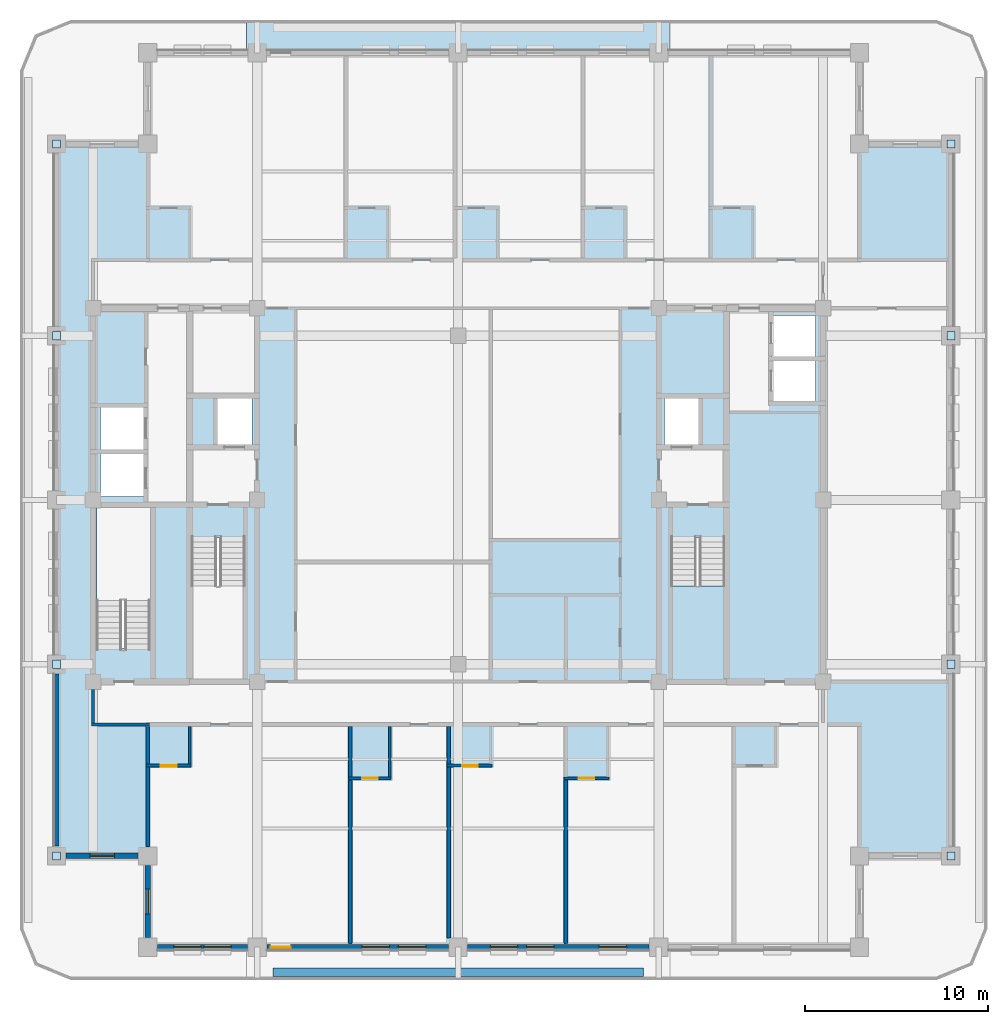
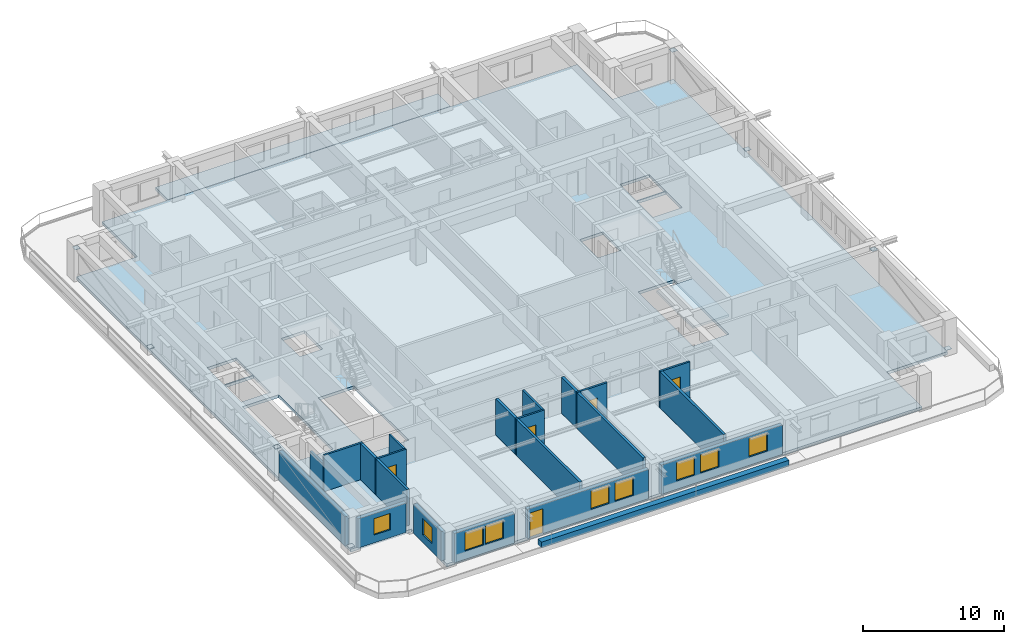
# One storey, part 2 of 13: 22 walls, 9 windows, 8 plates, 5 doors, 3 slabs, 14 openings, 1 element without a shape of its own.
"""IFC4 building model written with IfcOpenShell, lengths in metres."""

from ifc_helpers import new_model, si_unit, direction, frame, frame_2d, origin, origin_2d, place, context, subcontext, project, spatial, polyline, rectangle, outline, extrude, material, layer, layer_set, type_object, element, fill, aggregate, save


model = new_model("IFC4")

# Units and contexts
model_context = context("Model", 3, precision=1e-05, world=origin(), true_north=direction((0.0, 1.0)))
body_context = subcontext(model_context, "Body", "Model", "MODEL_VIEW")
ifc_project = project(units=[si_unit("LENGTHUNIT", "METRE"), si_unit("AREAUNIT", "SQUARE_METRE"), si_unit("VOLUMEUNIT", "CUBIC_METRE"), si_unit("PLANEANGLEUNIT", "RADIAN"), si_unit("MASSUNIT", "GRAM", prefix="KILO")], contexts=[model_context])

# Site, building, storey
site_placement = place(None, origin())
site = spatial("IfcSite", under=ifc_project, at=site_placement, CompositionType="ELEMENT")
building_placement = place(site_placement, origin())
building = spatial("IfcBuilding", under=site, at=building_placement, Name="Zulmaris Gate Convention Tower", CompositionType="ELEMENT")
storey_placement = place(building_placement, frame((0.0, 0.0, 166.059814453125)))
storey = spatial("IfcBuildingStorey", under=building, at=storey_placement, Name="L42", CompositionType="ELEMENT", Elevation=166.059814453125)

# Plates
ifc_material_1 = material(Name="Steel S460", Category="steel")
ifc_layer_1 = layer(ifc_material_1, 0.02490234375, Name="Steel S460")
ifc_layer_set_1 = layer_set([ifc_layer_1], Name="Steel S460")
plate_type = type_object("IfcPlateType", Name="NP-CAP-440", PredefinedType="USERDEFINED", material=ifc_layer_set_1)
for number, where, z_axis, x_axis, name in (
    (1, (-22.0, -19.5, 0.28759765625), (0.0, 0.0, 1.0), (1.0, 0.0, 0.0), "L42 Steel Node Plate PBR-L42-SW-W-CAP"),
    (2, (-22.0, -9.0, 2.517822265625), (0.0, 0.0, 1.0), (1.0, 0.0, 0.0), "L42 Steel Node Plate PBR-L42-SW-W-CAPB"),
    (3, (-22.0, 9.0, 0.28759765625), (0.0, 0.0, 1.0), (1.0, 0.0, 0.0), "L42 Steel Node Plate PBR-L42-NW-W-CAP"),
    (4, (-22.0, 19.5, 2.517822265625), (0.0, 0.0, 1.0), (1.0, 0.0, 0.0), "L42 Steel Node Plate PBR-L42-NW-W-CAPB"),
    (5, (27.0, -19.5, 0.28759765625), (0.0, 0.0, 1.0), (1.0, 0.0, 0.0), "L42 Steel Node Plate PBR-L42-SE-E-CAP"),
    (6, (27.0, -9.0, 2.517822265625), (0.0, 0.0, 1.0), (1.0, 0.0, 0.0), "L42 Steel Node Plate PBR-L42-SE-E-CAPB"),
    (7, (27.0, 9.0, 0.28759765625), (0.0, 0.0, 1.0), (1.0, 0.0, 0.0), "L42 Steel Node Plate PBR-L42-NE-E-CAP"),
    (8, (27.0, 19.5, 2.517822265625), (0.0, 0.0, 1.0), (1.0, 0.0, 0.0), "L42 Steel Node Plate PBR-L42-NE-E-CAPB"),
):
    element("IfcPlate", number, at=place(storey_placement, frame(where, z_axis=z_axis, x_axis=x_axis)), inside=storey, type_object=plate_type, Name=name, ObjectType="FLANGE PLATE", PredefinedType="USERDEFINED", context=body_context, shape_type="SweptSolid", body=[
        extrude(rectangle(XDim=0.43994140625, YDim=0.43994140625, at=origin_2d()), origin(), (0.0, 0.0, 1.0), 0.02490234375),
    ])

# Slabs
ifc_material_2 = material(Name="Precast concrete C50/60", Category="concrete")
ifc_layer_2 = layer(ifc_material_2, 0.260009765625, Name="Precast concrete C50/60")
ifc_layer_set_2 = layer_set([ifc_layer_2], Name="Precast concrete C50/60")
slab_type_1 = type_object("IfcSlabType", Name="SL-BAL-260", PredefinedType="FLOOR", material=ifc_layer_set_2)
slab_1_placement = place(storey_placement, frame((0.0, 0.0, -0.25)))
element("IfcSlab", 9, at=slab_1_placement, inside=storey, type_object=slab_type_1, Name="L42 North Tree-Balcony Planter Slab", PredefinedType="FLOOR", context=body_context, shape_type="SweptSolid", body=[
    extrude(outline(polyline([(11.597900390625, 26.300048828125), (11.597900390625, 24.5), (-11.597900390625, 24.5), (-11.597900390625, 26.300048828125), (11.597900390625, 26.300048828125)])), origin(), (0.0, 0.0, 1.0), 0.260009765625),
])
ifc_material_3 = material(Name="Concrete C50/60", Category="concrete")
ifc_layer_3 = layer(ifc_material_3, 0.25, Name="Concrete C50/60")
ifc_layer_set_3 = layer_set([ifc_layer_3], Name="Concrete C50/60")
slab_type_2 = type_object("IfcSlabType", Name="SL-FLR-250", PredefinedType="FLOOR", material=ifc_layer_set_3)
slab_2_placement = place(storey_placement, frame((0.0, 0.0, -0.25)))
element("IfcSlab", 10, at=slab_2_placement, inside=storey, type_object=slab_type_2, Name="L42 Shifted Notched-Square Structural Floor Slab", PredefinedType="FLOOR", context=body_context, shape_type="SweptSolid", body=[
    extrude(outline(polyline([(-17.0, -24.5), (22.0, -24.5), (22.0, -19.5), (27.0, -19.5), (27.0, 19.5), (22.0, 19.5), (22.0, 24.5), (-17.0, 24.5), (-17.0, 19.5), (-22.0, 19.5), (-22.0, -19.5), (-17.0, -19.5), (-17.0, -24.5)]), holes=[polyline([(-14.6201171875, -2.080078125), (-14.6201171875, -9.85009765625), (-11.659912109375, -9.85009765625), (-11.659912109375, -2.080078125), (-14.6201171875, -2.080078125)]), polyline([(11.659912109375, -2.080078125), (11.659912109375, -9.85009765625), (14.6201171875, -9.85009765625), (14.6201171875, -2.080078125), (11.659912109375, -2.080078125)]), polyline([(-16.860107421875, -8.1201171875), (-16.860107421875, -0.35009765625), (-19.820068359375, -0.35009765625), (-19.820068359375, -8.1201171875), (-16.860107421875, -8.1201171875)]), polyline([(-13.199951171875, 3.0), (-11.300048828125, 3.0), (-11.300048828125, 5.60009765625), (-13.199951171875, 5.60009765625), (-13.199951171875, 3.0)]), polyline([(11.300048828125, 3.0), (13.199951171875, 3.0), (13.199951171875, 5.60009765625), (11.300048828125, 5.60009765625), (11.300048828125, 3.0)]), polyline([(17.199951171875, 5.39990234375), (19.60009765625, 5.39990234375), (19.60009765625, 7.699951171875), (17.199951171875, 7.699951171875), (17.199951171875, 5.39990234375)]), polyline([(17.199951171875, 7.800048828125), (19.60009765625, 7.800048828125), (19.60009765625, 10.10009765625), (17.199951171875, 10.10009765625), (17.199951171875, 7.800048828125)]), polyline([(-19.60009765625, 0.199951171875), (-17.199951171875, 0.199951171875), (-17.199951171875, 2.60009765625), (-19.60009765625, 2.60009765625), (-19.60009765625, 0.199951171875)]), polyline([(-19.60009765625, 2.699951171875), (-17.199951171875, 2.699951171875), (-17.199951171875, 5.10009765625), (-19.60009765625, 5.10009765625), (-19.60009765625, 2.699951171875)])]), origin(), (0.0, 0.0, 1.0), 0.25),
])

# Stair, slab
ifc_material_4 = material(Name="Concrete C45/55", Category="concrete")
stair_type = type_object("IfcStairType", Name="ST-CORE-DOGLEG", PredefinedType="HALF_TURN_STAIR", material=ifc_material_4)
stair_placement = place(storey_placement, origin())
stair = element("IfcStair", 11, at=stair_placement, inside=storey, type_object=stair_type, Name="L42 Core Exit Stair ST-2", PredefinedType="HALF_TURN_STAIR")
ifc_layer_4 = layer(ifc_material_4, 0.199951171875, Name="Concrete C45/55")
ifc_layer_set_4 = layer_set([ifc_layer_4], Name="Concrete C45/55")
slab_type_3 = type_object("IfcSlabType", Name="SL-LND-200", PredefinedType="LANDING", material=ifc_layer_set_4)
slab_3_placement = place(storey_placement, frame((0.0, 0.0, 1.5)))
slab_3 = element("IfcSlab", 12, at=slab_3_placement, type_object=slab_type_3, Name="ST-2 landing 1", PredefinedType="LANDING", context=body_context, shape_type="SweptSolid", body=[
    extrude(outline(polyline([(11.659912109375, -4.699951171875), (11.659912109375, -9.85009765625), (14.6201171875, -9.85009765625), (14.6201171875, -4.699951171875), (11.659912109375, -4.699951171875)])), origin(), (0.0, 0.0, 1.0), 0.2001953125),
])
aggregate(stair, [slab_3])

# Wall, opening, door
ifc_material_5 = material(Name="Gypsum Metal Stud Partition")
ifc_layer_5 = layer(ifc_material_5, 0.14990234375, Name="Gypsum Metal Stud Partition")
ifc_layer_set_5 = layer_set([ifc_layer_5], Name="Gypsum Metal Stud Partition")
wall_type_1 = type_object("IfcWallType", Name="PART-150", PredefinedType="PARTITIONING", material=ifc_layer_set_5)
wall_1_placement = place(storey_placement, frame((-6.0, -15.25, 0.0), z_axis=(0.0, 0.0, 1.0), x_axis=(1.0, 0.0, 0.0)))
wall_1 = element("IfcWall", 13, at=wall_1_placement, inside=storey, type_object=wall_type_1, Name="WL-L42-019", PredefinedType="PARTITIONING", context=body_context, shape_type="SweptSolid", body=[
    extrude(rectangle(XDim=2.3349609375, YDim=0.14990234375, at=frame_2d((1.16748046875, 0.0))), origin(), (0.0, 0.0, 1.0), 3.150146484375),
])
opening_1_placement = place(wall_1_placement, frame((0.7548828125, 0.0, 0.0)))
opening_1 = element("IfcOpeningElement", 14, at=opening_1_placement, cuts=wall_1, Name="Opening D-17", PredefinedType="OPENING", context=body_context, shape_type="SweptSolid", body=[
    extrude(rectangle(XDim=0.85009765625, YDim=2.10009765625, at=frame_2d((0.425048828125, 1.050048828125))), frame((0.0, 0.0849609375, 0.0), z_axis=(0.0, -1.0, 0.0), x_axis=(1.0, 0.0, 0.0)), (0.0, 0.0, 1.0), 0.169921875),
])
ifc_material_6 = material(Name="Moisture-Resistant Hardwood Timber", Category="wood")
door_type_1 = type_object("IfcDoorType", Name="DR-850", OperationType="NOTDEFINED", PredefinedType="DOOR", material=ifc_material_6)
door_1_placement = place(opening_1_placement, origin())
door_1 = element("IfcDoor", 15, at=door_1_placement, inside=storey, type_object=door_type_1, Name="L42 En-Suite Door 35", OperationType="SINGLE_SWING_LEFT", OverallHeight=2.10009765625, OverallWidth=0.85009765625, PredefinedType="DOOR", context=body_context, shape_type="SweptSolid", body=[
    extrude(rectangle(XDim=0.85009765625, YDim=2.10009765625, at=frame_2d((0.425048828125, 1.050048828125))), frame((0.0, 0.02490234375, 0.0), z_axis=(0.0, -1.0, 0.0), x_axis=(1.0, 0.0, 0.0)), (0.0, 0.0, 1.0), 0.050048828125),
])
fill(opening_1, door_1)

wall_2_placement = place(storey_placement, frame((5.800048828125, -15.25, 0.0), z_axis=(0.0, 0.0, 1.0), x_axis=(1.0, 0.0, 0.0)))
wall_2 = element("IfcWall", 16, at=wall_2_placement, inside=storey, type_object=wall_type_1, Name="WL-L42-020", PredefinedType="PARTITIONING", context=body_context, shape_type="SweptSolid", body=[
    extrude(rectangle(XDim=2.474853515625, YDim=0.14990234375, at=frame_2d((1.2373046875, 0.0))), origin(), (0.0, 0.0, 1.0), 3.150146484375),
])
opening_2_placement = place(wall_2_placement, frame((0.824951171875, 0.0, 0.0)))
opening_2 = element("IfcOpeningElement", 17, at=opening_2_placement, cuts=wall_2, Name="Opening D-17", PredefinedType="OPENING", context=body_context, shape_type="SweptSolid", body=[
    extrude(rectangle(XDim=0.85009765625, YDim=2.10009765625, at=frame_2d((0.425048828125, 1.050048828125))), frame((0.0, 0.0849609375, 0.0), z_axis=(0.0, -1.0, 0.0), x_axis=(1.0, 0.0, 0.0)), (0.0, 0.0, 1.0), 0.169921875),
])
door_2_placement = place(opening_2_placement, origin())
door_2 = element("IfcDoor", 18, at=door_2_placement, inside=storey, type_object=door_type_1, Name="L42 En-Suite Door 39", OperationType="SINGLE_SWING_LEFT", OverallHeight=2.10009765625, OverallWidth=0.85009765625, PredefinedType="DOOR", context=body_context, shape_type="SweptSolid", body=[
    extrude(rectangle(XDim=0.85009765625, YDim=2.10009765625, at=frame_2d((0.425048828125, 1.050048828125))), frame((0.0, 0.02490234375, 0.0), z_axis=(0.0, -1.0, 0.0), x_axis=(1.0, 0.0, 0.0)), (0.0, 0.0, 1.0), 0.050048828125),
])
fill(opening_2, door_2)

wall_3_placement = place(storey_placement, frame((-17.10009765625, -14.550048828125, 0.0), z_axis=(0.0, 0.0, 1.0), x_axis=(1.0, 0.0, 0.0)))
wall_3 = element("IfcWall", 19, at=wall_3_placement, inside=storey, type_object=wall_type_1, Name="WL-L42-021", PredefinedType="PARTITIONING", context=body_context, shape_type="SweptSolid", body=[
    extrude(rectangle(XDim=2.47509765625, YDim=0.14990234375, at=frame_2d((1.237548828125, 0.0))), origin(), (0.0, 0.0, 1.0), 3.150146484375),
])
opening_3_placement = place(wall_3_placement, frame((0.824951171875, 0.0, 0.0)))
opening_3 = element("IfcOpeningElement", 20, at=opening_3_placement, cuts=wall_3, Name="Opening D-17", PredefinedType="OPENING", context=body_context, shape_type="SweptSolid", body=[
    extrude(rectangle(XDim=0.85009765625, YDim=2.10009765625, at=frame_2d((0.425048828125, 1.050048828125))), frame((0.0, 0.0849609375, 0.0), z_axis=(0.0, -1.0, 0.0), x_axis=(1.0, 0.0, 0.0)), (0.0, 0.0, 1.0), 0.169921875),
])
door_3_placement = place(opening_3_placement, origin())
door_3 = element("IfcDoor", 21, at=door_3_placement, inside=storey, type_object=door_type_1, Name="L42 En-Suite Door 33", OperationType="SINGLE_SWING_LEFT", OverallHeight=2.10009765625, OverallWidth=0.85009765625, PredefinedType="DOOR", context=body_context, shape_type="SweptSolid", body=[
    extrude(rectangle(XDim=0.85009765625, YDim=2.10009765625, at=frame_2d((0.425048828125, 1.050048828125))), frame((0.0, 0.02490234375, 0.0), z_axis=(0.0, -1.0, 0.0), x_axis=(1.0, 0.0, 0.0)), (0.0, 0.0, 1.0), 0.050048828125),
])
fill(opening_3, door_3)

wall_4_placement = place(storey_placement, frame((-0.60009765625, -14.550048828125, 0.0), z_axis=(0.0, 0.0, 1.0), x_axis=(1.0, 0.0, 0.0)))
wall_4 = element("IfcWall", 22, at=wall_4_placement, inside=storey, type_object=wall_type_1, Name="WL-L42-022", PredefinedType="PARTITIONING", context=body_context, shape_type="SweptSolid", body=[
    extrude(rectangle(XDim=2.47509765625, YDim=0.14990234375, at=frame_2d((1.237548828125, 0.0))), origin(), (0.0, 0.0, 1.0), 3.150146484375),
])
opening_4_placement = place(wall_4_placement, frame((0.824951171875, 0.0, 0.0)))
opening_4 = element("IfcOpeningElement", 23, at=opening_4_placement, cuts=wall_4, Name="Opening D-17", PredefinedType="OPENING", context=body_context, shape_type="SweptSolid", body=[
    extrude(rectangle(XDim=0.85009765625, YDim=2.10009765625, at=frame_2d((0.425048828125, 1.050048828125))), frame((0.0, 0.0849609375, 0.0), z_axis=(0.0, -1.0, 0.0), x_axis=(1.0, 0.0, 0.0)), (0.0, 0.0, 1.0), 0.169921875),
])
door_4_placement = place(opening_4_placement, origin())
door_4 = element("IfcDoor", 24, at=door_4_placement, inside=storey, type_object=door_type_1, Name="L42 En-Suite Door 37", OperationType="SINGLE_SWING_LEFT", OverallHeight=2.10009765625, OverallWidth=0.85009765625, PredefinedType="DOOR", context=body_context, shape_type="SweptSolid", body=[
    extrude(rectangle(XDim=0.85009765625, YDim=2.10009765625, at=frame_2d((0.425048828125, 1.050048828125))), frame((0.0, 0.02490234375, 0.0), z_axis=(0.0, -1.0, 0.0), x_axis=(1.0, 0.0, 0.0)), (0.0, 0.0, 1.0), 0.050048828125),
])
fill(opening_4, door_4)

# Walls
wall_5_placement = place(storey_placement, frame((-20.074951171875, -12.300048828125, 0.0), z_axis=(0.0, 0.0, 1.0), x_axis=(1.0, 0.0, 0.0)))
element("IfcWall", 25, at=wall_5_placement, inside=storey, type_object=wall_type_1, Name="WL-L42-024", PredefinedType="PARTITIONING", context=body_context, shape_type="SweptSolid", body=[
    extrude(rectangle(XDim=3.175048828125, YDim=0.14990234375, at=frame_2d((1.58740234375, 0.0))), origin(), (0.0, 0.0, 1.0), 3.150146484375),
])
wall_6_placement = place(storey_placement, frame((-20.0, -12.221923828125, 0.0), z_axis=(0.0, 0.0, 1.0), x_axis=(0.0, 1.0, 0.0)))
element("IfcWall", 26, at=wall_6_placement, inside=storey, type_object=wall_type_1, Name="WL-L42-074", PredefinedType="PARTITIONING", context=body_context, shape_type="SweptSolid", body=[
    extrude(rectangle(XDim=1.8408203125, YDim=0.14990234375, at=frame_2d((0.92041015625, 0.0))), origin(), (0.0, 0.0, 1.0), 2.34228515625),
])
wall_7_placement = place(storey_placement, frame((-14.699951171875, -14.471923828125, 0.0), z_axis=(0.0, 0.0, 1.0), x_axis=(0.0, 1.0, 0.0)))
element("IfcWall", 27, at=wall_7_placement, inside=storey, type_object=wall_type_1, Name="WL-L42-081", PredefinedType="PARTITIONING", context=body_context, shape_type="SweptSolid", body=[
    extrude(rectangle(XDim=2.06884765625, YDim=0.14990234375, at=frame_2d((1.034423828125, 0.0))), origin(), (0.0, 0.0, 1.0), 3.150146484375),
])
wall_8_placement = place(storey_placement, frame((-3.739990234375, -15.172119140625, 0.0), z_axis=(0.0, 0.0, 1.0), x_axis=(0.0, 1.0, 0.0)))
element("IfcWall", 28, at=wall_8_placement, inside=storey, type_object=wall_type_1, Name="WL-L42-090", PredefinedType="PARTITIONING", context=body_context, shape_type="SweptSolid", body=[
    extrude(rectangle(XDim=2.76904296875, YDim=0.14990234375, at=frame_2d((1.384521484375, 0.0))), origin(), (0.0, 0.0, 1.0), 3.150146484375),
])
ifc_material_7 = material(Name="Autoclaved Aerated Concrete Block and Plasterboard", Category="concrete")
ifc_layer_6 = layer(ifc_material_7, 0.199951171875, Name="Autoclaved Aerated Concrete Block and Plasterboard")
ifc_layer_set_6 = layer_set([ifc_layer_6], Name="Autoclaved Aerated Concrete Block and Plasterboard")
wall_type_2 = type_object("IfcWallType", Name="PART-200", PredefinedType="PARTITIONING", material=ifc_layer_set_6)
wall_9_placement = place(storey_placement, frame((-17.0, -18.993896484375, 0.0), z_axis=(0.0, 0.0, 1.0), x_axis=(0.0, 1.0, 0.0)))
element("IfcWall", 29, at=wall_9_placement, inside=storey, type_object=wall_type_2, Name="WL-L42-077", PredefinedType="PARTITIONING", context=body_context, shape_type="SweptSolid", body=[
    extrude(rectangle(XDim=4.365966796875, YDim=0.199951171875, at=frame_2d((2.18310546875, 0.0))), origin(), (0.0, 0.0, 1.0), 3.150146484375),
])
wall_10_placement = place(storey_placement, frame((-17.0, -14.471923828125, 0.0), z_axis=(0.0, 0.0, 1.0), x_axis=(0.0, 1.0, 0.0)))
element("IfcWall", 30, at=wall_10_placement, inside=storey, type_object=wall_type_2, Name="WL-L42-078", PredefinedType="PARTITIONING", context=body_context, shape_type="SweptSolid", body=[
    extrude(rectangle(XDim=2.06884765625, YDim=0.199951171875, at=frame_2d((1.034423828125, 0.0))), origin(), (0.0, 0.0, 1.0), 3.150146484375),
])
wall_11_placement = place(storey_placement, frame((-5.89990234375, -24.3349609375, 0.0), z_axis=(0.0, 0.0, 1.0), x_axis=(0.0, 1.0, 0.0)))
element("IfcWall", 31, at=wall_11_placement, inside=storey, type_object=wall_type_2, Name="WL-L42-087", PredefinedType="PARTITIONING", context=body_context, shape_type="SweptSolid", body=[
    extrude(rectangle(XDim=9.007080078125, YDim=0.199951171875, at=frame_2d((4.50341796875, 0.0))), origin(), (0.0, 0.0, 1.0), 3.150146484375),
])
wall_12_placement = place(storey_placement, frame((-5.89990234375, -15.172119140625, 0.0), z_axis=(0.0, 0.0, 1.0), x_axis=(0.0, 1.0, 0.0)))
element("IfcWall", 32, at=wall_12_placement, inside=storey, type_object=wall_type_2, Name="WL-L42-088", PredefinedType="PARTITIONING", context=body_context, shape_type="SweptSolid", body=[
    extrude(rectangle(XDim=2.76904296875, YDim=0.199951171875, at=frame_2d((1.384521484375, 0.0))), origin(), (0.0, 0.0, 1.0), 3.150146484375),
])
wall_13_placement = place(storey_placement, frame((-0.5, -23.993896484375, 0.0), z_axis=(0.0, 0.0, 1.0), x_axis=(0.0, 1.0, 0.0)))
element("IfcWall", 33, at=wall_13_placement, inside=storey, type_object=wall_type_2, Name="WL-L42-091", PredefinedType="PARTITIONING", context=body_context, shape_type="SweptSolid", body=[
    extrude(rectangle(XDim=9.365966796875, YDim=0.199951171875, at=frame_2d((4.68310546875, 0.0))), origin(), (0.0, 0.0, 1.0), 3.150146484375),
])
wall_14_placement = place(storey_placement, frame((-0.5, -14.471923828125, 0.0), z_axis=(0.0, 0.0, 1.0), x_axis=(0.0, 1.0, 0.0)))
element("IfcWall", 34, at=wall_14_placement, inside=storey, type_object=wall_type_2, Name="WL-L42-092", PredefinedType="PARTITIONING", context=body_context, shape_type="SweptSolid", body=[
    extrude(rectangle(XDim=2.06884765625, YDim=0.199951171875, at=frame_2d((1.034423828125, 0.0))), origin(), (0.0, 0.0, 1.0), 3.150146484375),
])
wall_15_placement = place(storey_placement, frame((5.89990234375, -24.3349609375, 0.0), z_axis=(0.0, 0.0, 1.0), x_axis=(0.0, 1.0, 0.0)))
element("IfcWall", 35, at=wall_15_placement, inside=storey, type_object=wall_type_2, Name="WL-L42-101", PredefinedType="PARTITIONING", context=body_context, shape_type="SweptSolid", body=[
    extrude(rectangle(XDim=9.007080078125, YDim=0.199951171875, at=frame_2d((4.50341796875, 0.0))), origin(), (0.0, 0.0, 1.0), 3.150146484375),
])
ifc_material_8 = material(Name="Botanical Green Glazed Precast Concrete C40/50", Category="concrete")
ifc_layer_7 = layer(ifc_material_8, 0.419921875, Name="Botanical Green Glazed Precast Concrete C40/50")
ifc_layer_set_7 = layer_set([ifc_layer_7], Name="Botanical Green Glazed Precast Concrete C40/50")
wall_type_3 = type_object("IfcWallType", Name="PLANTER-CURB-200", PredefinedType="PARAPET", material=ifc_layer_set_7)
wall_16_placement = place(storey_placement, frame((-10.14990234375, -25.8798828125, -0.0400390625), z_axis=(0.0, 0.0, 1.0), x_axis=(1.0, 0.0, 0.0)))
element("IfcWall", 36, at=wall_16_placement, inside=storey, type_object=wall_type_3, Name="L42 Full-Length Balcony Tree Planter Trough", PredefinedType="PARAPET", context=body_context, shape_type="SweptSolid", body=[
    extrude(rectangle(XDim=20.2998046875, YDim=0.47998046875, at=frame_2d((10.14990234375, 0.0))), origin(), (0.0, 0.0, 1.0), 0.52001953125),
])

# Wall, opening, window
ifc_material_9 = material(Name="Precast concrete C40/50", Category="concrete")
ifc_layer_8 = layer(ifc_material_9, 0.300048828125, Name="Precast concrete C40/50")
ifc_layer_set_8 = layer_set([ifc_layer_8], Name="Precast concrete C40/50")
wall_type_4 = type_object("IfcWallType", Name="PRECAST-PIER-300", PredefinedType="STANDARD", material=ifc_layer_set_8)
wall_17_placement = place(storey_placement, frame((-21.469970703125, -19.5, 0.0), z_axis=(0.0, 0.0, 1.0), x_axis=(1.0, 0.0, 0.0)))
wall_17 = element("IfcWall", 37, at=wall_17_placement, inside=storey, type_object=wall_type_4, Name="EW-L42-NOTCH-SW1_0", PredefinedType="STANDARD", context=body_context, shape_type="SweptSolid", body=[
    extrude(rectangle(XDim=3.93994140625, YDim=0.300048828125, at=frame_2d((1.969970703125, 0.0))), origin(), (0.0, 0.0, 1.0), 2.542236328125),
])
opening_5_placement = place(wall_17_placement, frame((1.294921875, 0.0, 0.679931640625)))
opening_5 = element("IfcOpeningElement", 38, at=opening_5_placement, cuts=wall_17, Name="Opening W-10", PredefinedType="OPENING", context=body_context, shape_type="SweptSolid", body=[
    extrude(rectangle(XDim=1.35009765625, YDim=1.419921875, at=frame_2d((0.675048828125, 0.7099609375))), frame((0.0, 0.16015625, 0.0), z_axis=(0.0, -1.0, 0.0), x_axis=(1.0, 0.0, 0.0)), (0.0, 0.0, 1.0), 0.320068359375),
])
ifc_material_10 = material(Name="Low-E Laminated Double Glazing in Aluminium Frame", Category="aluminium")
window_type_1 = type_object("IfcWindowType", Name="WIN-1350x2000", PartitioningType="SINGLE_PANEL", PredefinedType="WINDOW", material=ifc_material_10)
window_1_placement = place(opening_5_placement, origin())
window_1 = element("IfcWindow", 39, at=window_1_placement, inside=storey, type_object=window_type_1, Name="WN-EW-L42-NOTCH-SW1_0", OverallHeight=1.419921875, OverallWidth=1.35009765625, PartitioningType="SINGLE_PANEL", PredefinedType="WINDOW", context=body_context, shape_type="SweptSolid", body=[
    extrude(rectangle(XDim=1.35009765625, YDim=1.419921875, at=frame_2d((0.675048828125, 0.7099609375))), frame((0.0, 0.030029296875, 0.0), z_axis=(0.0, -1.0, 0.0), x_axis=(1.0, 0.0, 0.0)), (0.0, 0.0, 1.0), 0.06005859375),
])
fill(opening_5, window_1)

wall_18_placement = place(storey_placement, frame((-17.0, -20.030029296875, 0.0), z_axis=(0.0, 0.0, 1.0), x_axis=(0.0, -1.0, 0.0)))
wall_18 = element("IfcWall", 40, at=wall_18_placement, inside=storey, type_object=wall_type_4, Name="EW-L42-NOTCH-SW2_0", PredefinedType="STANDARD", context=body_context, shape_type="SweptSolid", body=[
    extrude(rectangle(XDim=3.93994140625, YDim=0.300048828125, at=frame_2d((1.969970703125, 0.0))), origin(), (0.0, 0.0, 1.0), 2.542236328125),
])
opening_6_placement = place(wall_18_placement, frame((1.294921875, 0.0, 0.679931640625)))
opening_6 = element("IfcOpeningElement", 41, at=opening_6_placement, cuts=wall_18, Name="Opening W-10", PredefinedType="OPENING", context=body_context, shape_type="SweptSolid", body=[
    extrude(rectangle(XDim=1.35009765625, YDim=1.419921875, at=frame_2d((0.675048828125, 0.7099609375))), frame((0.0, 0.16015625, 0.0), z_axis=(0.0, -1.0, 0.0), x_axis=(1.0, 0.0, 0.0)), (0.0, 0.0, 1.0), 0.320068359375),
])
window_2_placement = place(opening_6_placement, origin())
window_2 = element("IfcWindow", 42, at=window_2_placement, inside=storey, type_object=window_type_1, Name="WN-EW-L42-NOTCH-SW2_0", OverallHeight=1.419921875, OverallWidth=1.35009765625, PartitioningType="SINGLE_PANEL", PredefinedType="WINDOW", context=body_context, shape_type="SweptSolid", body=[
    extrude(rectangle(XDim=1.35009765625, YDim=1.419921875, at=frame_2d((0.675048828125, 0.7099609375))), frame((0.0, 0.030029296875, 0.0), z_axis=(0.0, -1.0, 0.0), x_axis=(1.0, 0.0, 0.0)), (0.0, 0.0, 1.0), 0.06005859375),
])
fill(opening_6, window_2)

# Wall, openings, windows
wall_19_placement = place(storey_placement, frame((-16.469970703125, -24.5, 0.0), z_axis=(0.0, 0.0, 1.0), x_axis=(1.0, 0.0, 0.0)))
wall_19 = element("IfcWall", 43, at=wall_19_placement, inside=storey, type_object=wall_type_4, Name="EW-L42-S-0_0", PredefinedType="STANDARD", context=body_context, shape_type="SweptSolid", body=[
    extrude(rectangle(XDim=4.93994140625, YDim=0.300048828125, at=frame_2d((2.469970703125, 0.0))), origin(), (0.0, 0.0, 1.0), 2.542236328125),
])
opening_7_placement = place(wall_19_placement, frame((0.89697265625, 0.0, 0.719970703125)))
opening_7 = element("IfcOpeningElement", 44, at=opening_7_placement, cuts=wall_19, Name="Opening W-03", PredefinedType="OPENING", context=body_context, shape_type="SweptSolid", body=[
    extrude(rectangle(XDim=1.5, YDim=1.60009765625, at=frame_2d((0.75, 0.800048828125))), frame((0.0, 0.16015625, 0.0), z_axis=(0.0, -1.0, 0.0), x_axis=(1.0, 0.0, 0.0)), (0.0, 0.0, 1.0), 0.320068359375),
])
opening_8_placement = place(wall_19_placement, frame((2.54296875, 0.0, 0.719970703125)))
opening_8 = element("IfcOpeningElement", 45, at=opening_8_placement, cuts=wall_19, Name="Opening W-03", PredefinedType="OPENING", context=body_context, shape_type="SweptSolid", body=[
    extrude(rectangle(XDim=1.5, YDim=1.60009765625, at=frame_2d((0.75, 0.800048828125))), frame((0.0, 0.16015625, 0.0), z_axis=(0.0, -1.0, 0.0), x_axis=(1.0, 0.0, 0.0)), (0.0, 0.0, 1.0), 0.320068359375),
])
window_type_2 = type_object("IfcWindowType", Name="WIN-1500x2100", PartitioningType="SINGLE_PANEL", PredefinedType="WINDOW", material=ifc_material_10)
window_3_placement = place(opening_7_placement, origin())
window_3 = element("IfcWindow", 46, at=window_3_placement, inside=storey, type_object=window_type_2, Name="WN-EW-L42-S-0_0-1", OverallHeight=1.60009765625, OverallWidth=1.5, PartitioningType="SINGLE_PANEL", PredefinedType="WINDOW", context=body_context, shape_type="SweptSolid", body=[
    extrude(rectangle(XDim=1.5, YDim=1.60009765625, at=frame_2d((0.75, 0.800048828125))), frame((0.0, 0.030029296875, 0.0), z_axis=(0.0, -1.0, 0.0), x_axis=(1.0, 0.0, 0.0)), (0.0, 0.0, 1.0), 0.06005859375),
])
fill(opening_7, window_3)
window_4_placement = place(opening_8_placement, origin())
window_4 = element("IfcWindow", 47, at=window_4_placement, inside=storey, type_object=window_type_2, Name="WN-EW-L42-S-0_0-2", OverallHeight=1.60009765625, OverallWidth=1.5, PartitioningType="SINGLE_PANEL", PredefinedType="WINDOW", context=body_context, shape_type="SweptSolid", body=[
    extrude(rectangle(XDim=1.5, YDim=1.60009765625, at=frame_2d((0.75, 0.800048828125))), frame((0.0, 0.030029296875, 0.0), z_axis=(0.0, -1.0, 0.0), x_axis=(1.0, 0.0, 0.0)), (0.0, 0.0, 1.0), 0.06005859375),
])
fill(opening_8, window_4)

# Wall, openings, door, windows
wall_20_placement = place(storey_placement, frame((-10.469970703125, -24.5, 0.0), z_axis=(0.0, 0.0, 1.0), x_axis=(1.0, 0.0, 0.0)))
wall_20 = element("IfcWall", 48, at=wall_20_placement, inside=storey, type_object=wall_type_4, Name="EW-L42-S-1_0", PredefinedType="STANDARD", context=body_context, shape_type="SweptSolid", body=[
    extrude(rectangle(XDim=9.93994140625, YDim=0.300048828125, at=frame_2d((4.969970703125, 0.0))), origin(), (0.0, 0.0, 1.0), 2.542236328125),
])
opening_9_placement = place(wall_20_placement, frame((0.199951171875, 0.0, 0.0)))
opening_9 = element("IfcOpeningElement", 49, at=opening_9_placement, cuts=wall_20, Name="Opening D-04", PredefinedType="OPENING", context=body_context, shape_type="SweptSolid", body=[
    extrude(rectangle(XDim=1.10009765625, YDim=2.14990234375, at=frame_2d((0.550048828125, 1.074951171875))), frame((0.0, 0.16015625, 0.0), z_axis=(0.0, -1.0, 0.0), x_axis=(1.0, 0.0, 0.0)), (0.0, 0.0, 1.0), 0.320068359375),
])
opening_10_placement = place(wall_20_placement, frame((5.214111328125, 0.0, 0.719970703125)))
opening_10 = element("IfcOpeningElement", 50, at=opening_10_placement, cuts=wall_20, Name="Opening W-03", PredefinedType="OPENING", context=body_context, shape_type="SweptSolid", body=[
    extrude(rectangle(XDim=1.5, YDim=1.60009765625, at=frame_2d((0.75, 0.800048828125))), frame((0.0, 0.16015625, 0.0), z_axis=(0.0, -1.0, 0.0), x_axis=(1.0, 0.0, 0.0)), (0.0, 0.0, 1.0), 0.320068359375),
])
opening_11_placement = place(wall_20_placement, frame((7.201904296875, 0.0, 0.719970703125)))
opening_11 = element("IfcOpeningElement", 51, at=opening_11_placement, cuts=wall_20, Name="Opening W-03", PredefinedType="OPENING", context=body_context, shape_type="SweptSolid", body=[
    extrude(rectangle(XDim=1.5, YDim=1.60009765625, at=frame_2d((0.75, 0.800048828125))), frame((0.0, 0.16015625, 0.0), z_axis=(0.0, -1.0, 0.0), x_axis=(1.0, 0.0, 0.0)), (0.0, 0.0, 1.0), 0.320068359375),
])
ifc_material_11 = material(Name="Anodised Aluminium and Laminated Glass", Category="aluminium")
door_type_2 = type_object("IfcDoorType", Name="ED-1100", OperationType="SINGLE_SWING_RIGHT", PredefinedType="DOOR", material=ifc_material_11)
door_5_placement = place(opening_9_placement, origin())
door_5 = element("IfcDoor", 52, at=door_5_placement, inside=storey, type_object=door_type_2, Name="L42 S Planted Terrace Door", OperationType="SINGLE_SWING_RIGHT", OverallHeight=2.14990234375, OverallWidth=1.10009765625, PredefinedType="DOOR", context=body_context, shape_type="SweptSolid", body=[
    extrude(rectangle(XDim=1.10009765625, YDim=2.14990234375, at=frame_2d((0.550048828125, 1.074951171875))), frame((0.0, 0.02490234375, 0.0), z_axis=(0.0, -1.0, 0.0), x_axis=(1.0, 0.0, 0.0)), (0.0, 0.0, 1.0), 0.050048828125),
])
fill(opening_9, door_5)
window_5_placement = place(opening_10_placement, origin())
window_5 = element("IfcWindow", 53, at=window_5_placement, inside=storey, type_object=window_type_2, Name="WN-EW-L42-S-1_0-3", OverallHeight=1.60009765625, OverallWidth=1.5, PartitioningType="SINGLE_PANEL", PredefinedType="WINDOW", context=body_context, shape_type="SweptSolid", body=[
    extrude(rectangle(XDim=1.5, YDim=1.60009765625, at=frame_2d((0.75, 0.800048828125))), frame((0.0, 0.030029296875, 0.0), z_axis=(0.0, -1.0, 0.0), x_axis=(1.0, 0.0, 0.0)), (0.0, 0.0, 1.0), 0.06005859375),
])
fill(opening_10, window_5)
window_6_placement = place(opening_11_placement, origin())
window_6 = element("IfcWindow", 54, at=window_6_placement, inside=storey, type_object=window_type_2, Name="WN-EW-L42-S-1_0-4", OverallHeight=1.60009765625, OverallWidth=1.5, PartitioningType="SINGLE_PANEL", PredefinedType="WINDOW", context=body_context, shape_type="SweptSolid", body=[
    extrude(rectangle(XDim=1.5, YDim=1.60009765625, at=frame_2d((0.75, 0.800048828125))), frame((0.0, 0.030029296875, 0.0), z_axis=(0.0, -1.0, 0.0), x_axis=(1.0, 0.0, 0.0)), (0.0, 0.0, 1.0), 0.06005859375),
])
fill(opening_11, window_6)

# Wall, openings, windows
wall_21_placement = place(storey_placement, frame((0.530029296875, -24.5, 0.0), z_axis=(0.0, 0.0, 1.0), x_axis=(1.0, 0.0, 0.0)))
wall_21 = element("IfcWall", 55, at=wall_21_placement, inside=storey, type_object=wall_type_4, Name="EW-L42-S-2_0", PredefinedType="STANDARD", context=body_context, shape_type="SweptSolid", body=[
    extrude(rectangle(XDim=9.93994140625, YDim=0.300048828125, at=frame_2d((4.969970703125, 0.0))), origin(), (0.0, 0.0, 1.0), 2.542236328125),
])
opening_12_placement = place(wall_21_placement, frame((1.238037109375, 0.0, 0.719970703125)))
opening_12 = element("IfcOpeningElement", 56, at=opening_12_placement, cuts=wall_21, Name="Opening W-03", PredefinedType="OPENING", context=body_context, shape_type="SweptSolid", body=[
    extrude(rectangle(XDim=1.5, YDim=1.60009765625, at=frame_2d((0.75, 0.800048828125))), frame((0.0, 0.16015625, 0.0), z_axis=(0.0, -1.0, 0.0), x_axis=(1.0, 0.0, 0.0)), (0.0, 0.0, 1.0), 0.320068359375),
])
opening_13_placement = place(wall_21_placement, frame((3.22607421875, 0.0, 0.719970703125)))
opening_13 = element("IfcOpeningElement", 57, at=opening_13_placement, cuts=wall_21, Name="Opening W-03", PredefinedType="OPENING", context=body_context, shape_type="SweptSolid", body=[
    extrude(rectangle(XDim=1.5, YDim=1.60009765625, at=frame_2d((0.75, 0.800048828125))), frame((0.0, 0.16015625, 0.0), z_axis=(0.0, -1.0, 0.0), x_axis=(1.0, 0.0, 0.0)), (0.0, 0.0, 1.0), 0.320068359375),
])
opening_14_placement = place(wall_21_placement, frame((7.201904296875, 0.0, 0.719970703125)))
opening_14 = element("IfcOpeningElement", 58, at=opening_14_placement, cuts=wall_21, Name="Opening W-03", PredefinedType="OPENING", context=body_context, shape_type="SweptSolid", body=[
    extrude(rectangle(XDim=1.5, YDim=1.60009765625, at=frame_2d((0.75, 0.800048828125))), frame((0.0, 0.16015625, 0.0), z_axis=(0.0, -1.0, 0.0), x_axis=(1.0, 0.0, 0.0)), (0.0, 0.0, 1.0), 0.320068359375),
])
window_7_placement = place(opening_12_placement, origin())
window_7 = element("IfcWindow", 59, at=window_7_placement, inside=storey, type_object=window_type_2, Name="WN-EW-L42-S-2_0-1", OverallHeight=1.60009765625, OverallWidth=1.5, PartitioningType="SINGLE_PANEL", PredefinedType="WINDOW", context=body_context, shape_type="SweptSolid", body=[
    extrude(rectangle(XDim=1.5, YDim=1.60009765625, at=frame_2d((0.75, 0.800048828125))), frame((0.0, 0.030029296875, 0.0), z_axis=(0.0, -1.0, 0.0), x_axis=(1.0, 0.0, 0.0)), (0.0, 0.0, 1.0), 0.06005859375),
])
fill(opening_12, window_7)
window_8_placement = place(opening_13_placement, origin())
window_8 = element("IfcWindow", 60, at=window_8_placement, inside=storey, type_object=window_type_2, Name="WN-EW-L42-S-2_0-2", OverallHeight=1.60009765625, OverallWidth=1.5, PartitioningType="SINGLE_PANEL", PredefinedType="WINDOW", context=body_context, shape_type="SweptSolid", body=[
    extrude(rectangle(XDim=1.5, YDim=1.60009765625, at=frame_2d((0.75, 0.800048828125))), frame((0.0, 0.030029296875, 0.0), z_axis=(0.0, -1.0, 0.0), x_axis=(1.0, 0.0, 0.0)), (0.0, 0.0, 1.0), 0.06005859375),
])
fill(opening_13, window_8)
window_9_placement = place(opening_14_placement, origin())
window_9 = element("IfcWindow", 61, at=window_9_placement, inside=storey, type_object=window_type_2, Name="WN-EW-L42-S-2_0-4", OverallHeight=1.60009765625, OverallWidth=1.5, PartitioningType="SINGLE_PANEL", PredefinedType="WINDOW", context=body_context, shape_type="SweptSolid", body=[
    extrude(rectangle(XDim=1.5, YDim=1.60009765625, at=frame_2d((0.75, 0.800048828125))), frame((0.0, 0.030029296875, 0.0), z_axis=(0.0, -1.0, 0.0), x_axis=(1.0, 0.0, 0.0)), (0.0, 0.0, 1.0), 0.06005859375),
])
fill(opening_14, window_9)

# Wall
wall_22_placement = place(storey_placement, frame((-22.0, -9.530029296875, 0.0), z_axis=(0.0, 0.0, 1.0), x_axis=(0.0, -1.0, 0.0)))
element("IfcWall", 62, at=wall_22_placement, inside=storey, type_object=wall_type_4, Name="EW-L42-W-0_0", PredefinedType="STANDARD", context=body_context, shape_type="SweptSolid", body=[
    extrude(rectangle(XDim=9.43994140625, YDim=0.300048828125, at=frame_2d((4.719970703125, 0.0))), origin(), (0.0, 0.0, 1.0), 2.542236328125),
])

save(model, "model.ifc")
